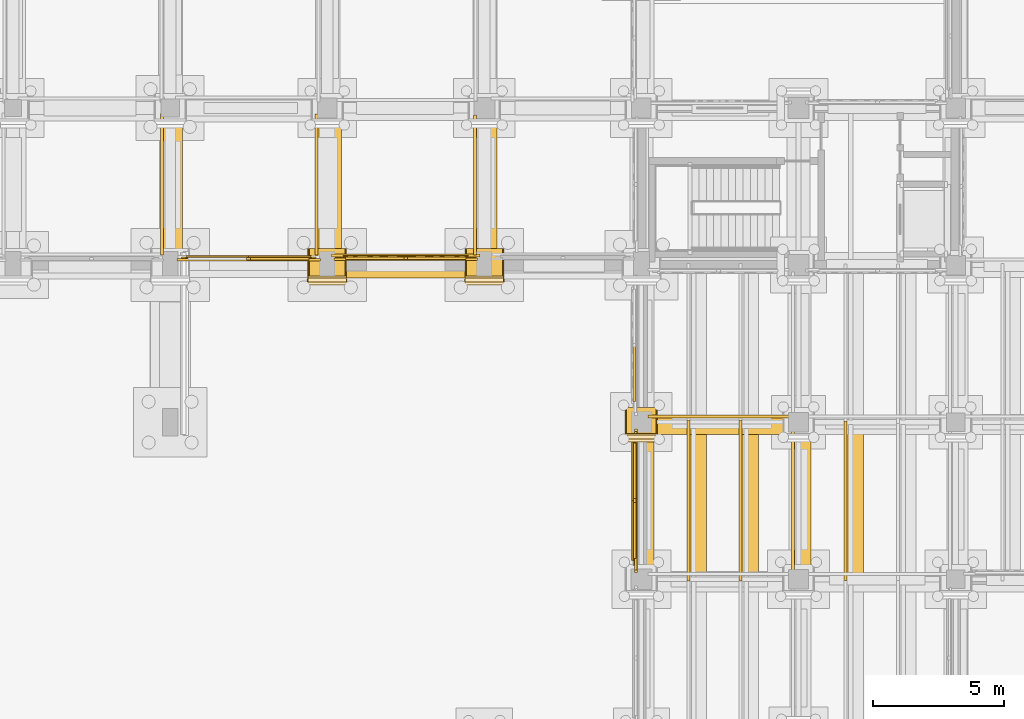
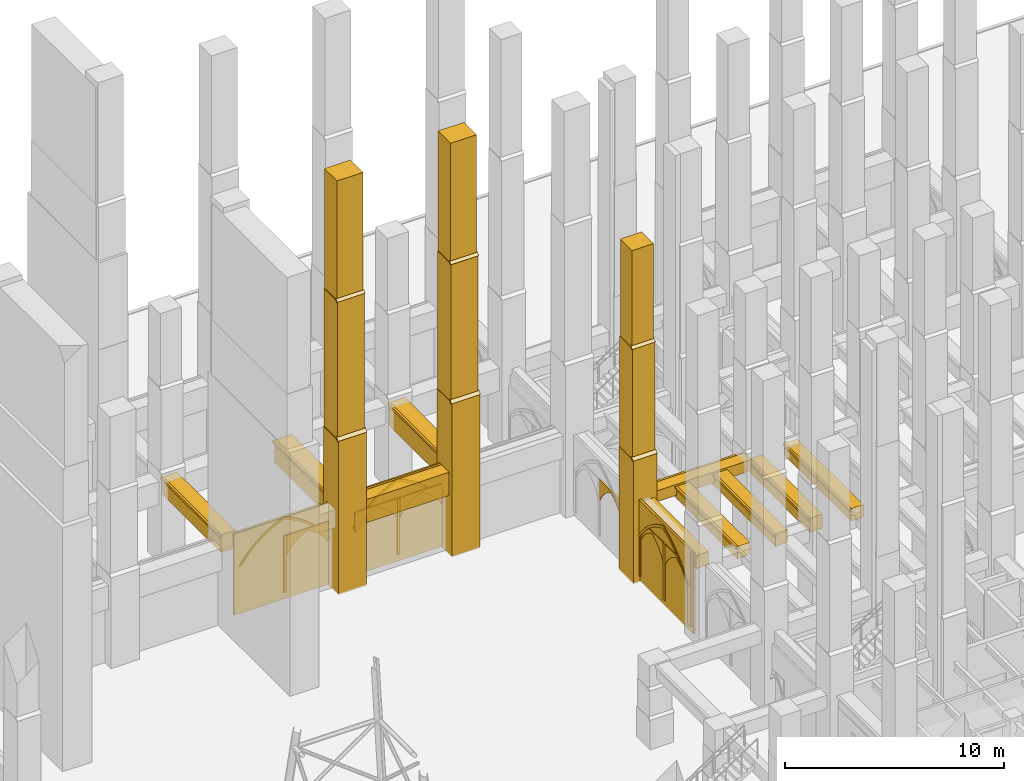
# One storey, part 116 of 135: 53 coverings.
"""IFC4 building model written with IfcOpenShell, lengths in metres."""

from ifc_helpers import new_model, si_unit, direction, frame, origin, origin_2d, place, context, subcontext, project, spatial, polyline, rectangle, outline, extrude, material, type_object, element, save


model = new_model("IFC4")

# Units and contexts
model_context = context("Model", 3, precision=1e-05, world=origin(), true_north=direction((0.0, 1.0)))
body_context = subcontext(model_context, "Body", "Model", "MODEL_VIEW")
ifc_project = project(units=[si_unit("LENGTHUNIT", "METRE"), si_unit("AREAUNIT", "SQUARE_METRE"), si_unit("VOLUMEUNIT", "CUBIC_METRE"), si_unit("PLANEANGLEUNIT", "RADIAN"), si_unit("MASSUNIT", "GRAM", prefix="KILO")], contexts=[model_context])

# Site, building, storey
site_placement = place(None, origin())
site = spatial("IfcSite", under=ifc_project, at=site_placement, CompositionType="ELEMENT")
building_placement = place(site_placement, origin())
building = spatial("IfcBuilding", under=site, at=building_placement, Name="Cumevento Cable Car Station", CompositionType="ELEMENT")
storey_placement = place(building_placement, origin())
storey = spatial("IfcBuildingStorey", under=building, at=storey_placement, Name="L01", CompositionType="ELEMENT", Elevation=0.0)

# Coverings
ifc_material = material(Name="Gnaisse Facoidal Stone Ashlar 85 MPa", Category="masonry")
covering_type = type_object("IfcCoveringType", Name="Gnaisse Ashlar Cladding CV-CL01", PredefinedType="CLADDING", material=ifc_material)
covering_1_placement = place(storey_placement, frame((106.0, 44.9423828125, -0.06005859375), z_axis=(0.0, 0.0, 1.0), x_axis=(1.0, 0.0, 0.0)))
element("IfcCovering", 1, at=covering_1_placement, inside=storey, type_object=covering_type, Name="Stepped Gothic Stone Buttress Tier 1 bt:106.0:45.0", PredefinedType="CLADDING", context=body_context, shape_type="SweptSolid", body=[
    extrude(rectangle(XDim=1.489990234375, YDim=1.364990234375, at=origin_2d()), origin(), (0.0, 0.0, 1.0), 8.595703125),
])
covering_2_placement = place(storey_placement, frame((105.235107421875, 44.239990234375, 8.515625), z_axis=(0.0, -0.711135781079, 0.703054692658), x_axis=(1.0, 0.0, 0.0)))
element("IfcCovering", 2, at=covering_2_placement, inside=storey, type_object=covering_type, Name="Gothic Buttress Sloped Stone Weathering 1 bt:106.0:45.0", PredefinedType="CLADDING", context=body_context, shape_type="SweptSolid", body=[
    extrude(outline(polyline([(0.0, 0.0), (1.52978515625, 0.0), (1.52978515625, 0.24169083397703695), (0.0, 0.24169083397703695), (0.0, 0.0)])), origin(), (0.0, 0.0, -1.0), 0.090087890625),
])
covering_3_placement = place(storey_placement, frame((106.0, 45.00244140625, 8.0830078125), z_axis=(0.0, 0.0, 1.0), x_axis=(1.0, 0.0, 0.0)))
element("IfcCovering", 3, at=covering_3_placement, inside=storey, type_object=covering_type, Name="Stepped Gothic Stone Buttress Tier 2 bt:106.0:45.0", PredefinedType="CLADDING", context=body_context, shape_type="SweptSolid", body=[
    extrude(rectangle(XDim=1.429931640625, YDim=1.2451171875, at=origin_2d()), origin(), (0.0, 0.0, 1.0), 8.143310546875),
])
covering_4_placement = place(storey_placement, frame((105.264892578125, 44.360107421875, 16.206298828125), z_axis=(0.0, -0.714474823669, 0.699661151089), x_axis=(1.0, 0.0, 0.0)))
element("IfcCovering", 4, at=covering_4_placement, inside=storey, type_object=covering_type, Name="Gothic Buttress Sloped Stone Weathering 2 bt:106.0:45.0", PredefinedType="CLADDING", context=body_context, shape_type="SweptSolid", body=[
    extrude(outline(polyline([(0.0, 0.0), (1.47021484375, 0.0), (1.47021484375, 0.21424991728737658), (0.0, 0.21424991728737658), (0.0, 0.0)])), origin(), (0.0, 0.0, -1.0), 0.090087890625),
])
covering_5_placement = place(storey_placement, frame((106.0, 45.052490234375, 15.77392578125), z_axis=(0.0, 0.0, 1.0), x_axis=(1.0, 0.0, 0.0)))
element("IfcCovering", 5, at=covering_5_placement, inside=storey, type_object=covering_type, Name="Stepped Gothic Stone Buttress Tier 3 bt:106.0:45.0", PredefinedType="CLADDING", context=body_context, shape_type="SweptSolid", body=[
    extrude(rectangle(XDim=1.3701171875, YDim=1.14501953125, at=origin_2d()), origin(), (0.0, 0.0, 1.0), 7.1259765625),
])
covering_6_placement = place(storey_placement, frame((112.0, 44.9423828125, -0.06005859375), z_axis=(0.0, 0.0, 1.0), x_axis=(1.0, 0.0, 0.0)))
element("IfcCovering", 6, at=covering_6_placement, inside=storey, type_object=covering_type, Name="Stepped Gothic Stone Buttress Tier 1 bt:112.0:45.0", PredefinedType="CLADDING", context=body_context, shape_type="SweptSolid", body=[
    extrude(rectangle(XDim=1.489990234375, YDim=1.364990234375, at=origin_2d()), origin(), (0.0, 0.0, 1.0), 8.595703125),
])
covering_7_placement = place(storey_placement, frame((111.235107421875, 44.239990234375, 8.515625), z_axis=(0.0, -0.711135781079, 0.703054692658), x_axis=(1.0, 0.0, 0.0)))
element("IfcCovering", 7, at=covering_7_placement, inside=storey, type_object=covering_type, Name="Gothic Buttress Sloped Stone Weathering 1 bt:112.0:45.0", PredefinedType="CLADDING", context=body_context, shape_type="SweptSolid", body=[
    extrude(outline(polyline([(0.0, 0.0), (1.52978515625, 0.0), (1.52978515625, 0.24169083397703695), (0.0, 0.24169083397703695), (0.0, 0.0)])), origin(), (0.0, 0.0, -1.0), 0.090087890625),
])
covering_8_placement = place(storey_placement, frame((112.0, 45.00244140625, 8.0830078125), z_axis=(0.0, 0.0, 1.0), x_axis=(1.0, 0.0, 0.0)))
element("IfcCovering", 8, at=covering_8_placement, inside=storey, type_object=covering_type, Name="Stepped Gothic Stone Buttress Tier 2 bt:112.0:45.0", PredefinedType="CLADDING", context=body_context, shape_type="SweptSolid", body=[
    extrude(rectangle(XDim=1.429931640625, YDim=1.2451171875, at=origin_2d()), origin(), (0.0, 0.0, 1.0), 8.143310546875),
])
covering_9_placement = place(storey_placement, frame((111.264892578125, 44.360107421875, 16.206298828125), z_axis=(0.0, -0.714474823669, 0.699661151089), x_axis=(1.0, 0.0, 0.0)))
element("IfcCovering", 9, at=covering_9_placement, inside=storey, type_object=covering_type, Name="Gothic Buttress Sloped Stone Weathering 2 bt:112.0:45.0", PredefinedType="CLADDING", context=body_context, shape_type="SweptSolid", body=[
    extrude(outline(polyline([(0.0, 0.0), (1.47021484375, 0.0), (1.47021484375, 0.21424991728737658), (0.0, 0.21424991728737658), (0.0, 0.0)])), origin(), (0.0, 0.0, -1.0), 0.090087890625),
])
covering_10_placement = place(storey_placement, frame((112.0, 45.052490234375, 15.77392578125), z_axis=(0.0, 0.0, 1.0), x_axis=(1.0, 0.0, 0.0)))
element("IfcCovering", 10, at=covering_10_placement, inside=storey, type_object=covering_type, Name="Stepped Gothic Stone Buttress Tier 3 bt:112.0:45.0", PredefinedType="CLADDING", context=body_context, shape_type="SweptSolid", body=[
    extrude(rectangle(XDim=1.3701171875, YDim=1.14501953125, at=origin_2d()), origin(), (0.0, 0.0, 1.0), 7.1259765625),
])
covering_11_placement = place(storey_placement, frame((118.0, 38.909912109375, -0.06005859375), z_axis=(0.0, 0.0, 1.0), x_axis=(1.0, 0.0, 0.0)))
element("IfcCovering", 11, at=covering_11_placement, inside=storey, type_object=covering_type, Name="Stepped Gothic Stone Buttress Tier 1 bt:118.0:39.0", PredefinedType="CLADDING", context=body_context, shape_type="SweptSolid", body=[
    extrude(rectangle(XDim=1.239990234375, YDim=1.300048828125, at=origin_2d()), origin(), (0.0, 0.0, 1.0), 6.885498046875),
])
covering_12_placement = place(storey_placement, frame((117.360107421875, 38.239990234375, 6.8056640625), z_axis=(0.0, -0.711135781079, 0.703054692658), x_axis=(1.0, 0.0, 0.0)))
element("IfcCovering", 12, at=covering_12_placement, inside=storey, type_object=covering_type, Name="Gothic Buttress Sloped Stone Weathering 1 bt:118.0:39.0", PredefinedType="CLADDING", context=body_context, shape_type="SweptSolid", body=[
    extrude(outline(polyline([(0.0, 0.0), (1.27978515625, 0.0), (1.27978515625, 0.24169083397703695), (0.0, 0.24169083397703695), (0.0, 0.0)])), origin(), (0.0, 0.0, -1.0), 0.090087890625),
])
covering_13_placement = place(storey_placement, frame((118.0, 38.969970703125, 6.46337890625), z_axis=(0.0, 0.0, 1.0), x_axis=(1.0, 0.0, 0.0)))
element("IfcCovering", 13, at=covering_13_placement, inside=storey, type_object=covering_type, Name="Stepped Gothic Stone Buttress Tier 2 bt:118.0:39.0", PredefinedType="CLADDING", context=body_context, shape_type="SweptSolid", body=[
    extrude(rectangle(XDim=1.179931640625, YDim=1.179931640625, at=origin_2d()), origin(), (0.0, 0.0, 1.0), 6.523193359375),
])
covering_14_placement = place(storey_placement, frame((117.389892578125, 38.360107421875, 12.96630859375), z_axis=(0.0, -0.714474823669, 0.699661151089), x_axis=(1.0, 0.0, 0.0)))
element("IfcCovering", 14, at=covering_14_placement, inside=storey, type_object=covering_type, Name="Gothic Buttress Sloped Stone Weathering 2 bt:118.0:39.0", PredefinedType="CLADDING", context=body_context, shape_type="SweptSolid", body=[
    extrude(outline(polyline([(0.0, 0.0), (1.22021484375, 0.0), (1.22021484375, 0.21424991728737655), (0.0, 0.21424991728737655), (0.0, 0.0)])), origin(), (0.0, 0.0, -1.0), 0.090087890625),
])
covering_15_placement = place(storey_placement, frame((118.0, 39.02001953125, 12.6240234375), z_axis=(0.0, 0.0, 1.0), x_axis=(1.0, 0.0, 0.0)))
element("IfcCovering", 15, at=covering_15_placement, inside=storey, type_object=covering_type, Name="Stepped Gothic Stone Buttress Tier 3 bt:118.0:39.0", PredefinedType="CLADDING", context=body_context, shape_type="SweptSolid", body=[
    extrude(rectangle(XDim=1.1201171875, YDim=1.080078125, at=origin_2d()), origin(), (0.0, 0.0, 1.0), 5.77587890625),
])
covering_16_placement = place(storey_placement, frame((109.0, 44.919921875, 3.239990234375), z_axis=(0.0, 0.0, 1.0), x_axis=(1.0, 0.0, 0.0)))
element("IfcCovering", 16, at=covering_16_placement, inside=storey, type_object=covering_type, Name="Gothic Stone Spandrel Stringcourse sc:0138", PredefinedType="CLADDING", context=body_context, shape_type="SweptSolid", body=[
    extrude(rectangle(XDim=5.639892578125, YDim=0.820068359375, at=origin_2d()), origin(), (0.0, 0.0, 1.0), 1.2900390625),
])
covering_17_placement = place(storey_placement, frame((109.0, 45.357421875, 4.400146484375), z_axis=(0.0, 0.0, 1.0), x_axis=(1.0, 0.0, 0.0)))
element("IfcCovering", 17, at=covering_17_placement, inside=storey, type_object=covering_type, Name="Gothic Cornice Dripstone Lip sc:0138", PredefinedType="CLADDING", context=body_context, shape_type="SweptSolid", body=[
    extrude(rectangle(XDim=5.679931640625, YDim=0.114990234375, at=origin_2d()), origin(), (0.0, 0.0, 1.0), 0.1298828125),
])
covering_18_placement = place(storey_placement, frame((100.10009765625, 48.08740234375, 3.5400390625), z_axis=(0.0, 0.0, 1.0), x_axis=(0.0, 1.0, 0.0)))
element("IfcCovering", 18, at=covering_18_placement, inside=storey, type_object=covering_type, Name="Gothic Stone Spandrel Stringcourse sc:0152", PredefinedType="CLADDING", context=body_context, shape_type="SweptSolid", body=[
    extrude(rectangle(XDim=5.364990234375, YDim=0.760009765625, at=origin_2d()), origin(), (0.0, 0.0, 1.0), 0.989990234375),
])
covering_19_placement = place(storey_placement, frame((99.6923828125, 48.08740234375, 4.400146484375), z_axis=(0.0, 0.0, 1.0), x_axis=(0.0, 1.0, 0.0)))
element("IfcCovering", 19, at=covering_19_placement, inside=storey, type_object=covering_type, Name="Gothic Cornice Dripstone Lip sc:0152", PredefinedType="CLADDING", context=body_context, shape_type="SweptSolid", body=[
    extrude(rectangle(XDim=5.405029296875, YDim=0.114990234375, at=origin_2d()), origin(), (0.0, 0.0, 1.0), 0.1298828125),
])
covering_20_placement = place(storey_placement, frame((106.080078125, 48.074951171875, 3.2900390625), z_axis=(0.0, 0.0, 1.0), x_axis=(0.0, 1.0, 0.0)))
element("IfcCovering", 20, at=covering_20_placement, inside=storey, type_object=covering_type, Name="Gothic Stone Spandrel Stringcourse sc:0154", PredefinedType="CLADDING", context=body_context, shape_type="SweptSolid", body=[
    extrude(rectangle(XDim=5.340087890625, YDim=0.919921875, at=origin_2d()), origin(), (0.0, 0.0, 1.0), 1.239990234375),
])
covering_21_placement = place(storey_placement, frame((105.592529296875, 48.074951171875, 4.400146484375), z_axis=(0.0, 0.0, 1.0), x_axis=(0.0, 1.0, 0.0)))
element("IfcCovering", 21, at=covering_21_placement, inside=storey, type_object=covering_type, Name="Gothic Cornice Dripstone Lip sc:0154", PredefinedType="CLADDING", context=body_context, shape_type="SweptSolid", body=[
    extrude(rectangle(XDim=5.3798828125, YDim=0.114990234375, at=origin_2d()), origin(), (0.0, 0.0, 1.0), 0.1298828125),
])
covering_22_placement = place(storey_placement, frame((112.080078125, 48.0625, 3.239990234375), z_axis=(0.0, 0.0, 1.0), x_axis=(0.0, 1.0, 0.0)))
element("IfcCovering", 22, at=covering_22_placement, inside=storey, type_object=covering_type, Name="Gothic Stone Spandrel Stringcourse sc:0156", PredefinedType="CLADDING", context=body_context, shape_type="SweptSolid", body=[
    extrude(rectangle(XDim=5.31494140625, YDim=0.820068359375, at=origin_2d()), origin(), (0.0, 0.0, 1.0), 1.2900390625),
])
covering_23_placement = place(storey_placement, frame((111.642578125, 48.0625, 4.400146484375), z_axis=(0.0, 0.0, 1.0), x_axis=(0.0, 1.0, 0.0)))
element("IfcCovering", 23, at=covering_23_placement, inside=storey, type_object=covering_type, Name="Gothic Cornice Dripstone Lip sc:0156", PredefinedType="CLADDING", context=body_context, shape_type="SweptSolid", body=[
    extrude(rectangle(XDim=5.35498046875, YDim=0.114990234375, at=origin_2d()), origin(), (0.0, 0.0, 1.0), 0.1298828125),
])
covering_24_placement = place(storey_placement, frame((121.012451171875, 38.85009765625, 3.884033203125), z_axis=(0.0, 0.0, 1.0), x_axis=(1.0, 0.0, 0.0)))
element("IfcCovering", 24, at=covering_24_placement, inside=storey, type_object=covering_type, Name="Gothic Stone Spandrel Stringcourse sc:0191", PredefinedType="CLADDING", context=body_context, shape_type="SweptSolid", body=[
    extrude(rectangle(XDim=5.465087890625, YDim=0.659912109375, at=origin_2d()), origin(), (0.0, 0.0, 1.0), 0.60595703125),
])
covering_25_placement = place(storey_placement, frame((121.012451171875, 39.20751953125, 4.360107421875), z_axis=(0.0, 0.0, 1.0), x_axis=(1.0, 0.0, 0.0)))
element("IfcCovering", 25, at=covering_25_placement, inside=storey, type_object=covering_type, Name="Gothic Cornice Dripstone Lip sc:0191", PredefinedType="CLADDING", context=body_context, shape_type="SweptSolid", body=[
    extrude(rectangle(XDim=5.5048828125, YDim=0.114990234375, at=origin_2d()), origin(), (0.0, 0.0, 1.0), 0.1298828125),
])
covering_26_placement = place(storey_placement, frame((118.14990234375, 36.0, 3.64306640625), z_axis=(0.0, 0.0, 1.0), x_axis=(0.0, 1.0, 0.0)))
element("IfcCovering", 26, at=covering_26_placement, inside=storey, type_object=covering_type, Name="Gothic Stone Spandrel Stringcourse sc:0197", PredefinedType="CLADDING", context=body_context, shape_type="SweptSolid", body=[
    extrude(rectangle(XDim=5.43994140625, YDim=0.659912109375, at=origin_2d()), origin(), (0.0, 0.0, 1.0), 0.7470703125),
])
covering_27_placement = place(storey_placement, frame((117.79248046875, 36.0, 4.260009765625), z_axis=(0.0, 0.0, 1.0), x_axis=(0.0, 1.0, 0.0)))
element("IfcCovering", 27, at=covering_27_placement, inside=storey, type_object=covering_type, Name="Gothic Cornice Dripstone Lip sc:0197", PredefinedType="CLADDING", context=body_context, shape_type="SweptSolid", body=[
    extrude(rectangle(XDim=5.47998046875, YDim=0.114990234375, at=origin_2d()), origin(), (0.0, 0.0, 1.0), 0.1298828125),
])
covering_28_placement = place(storey_placement, frame((124.14990234375, 36.0, 3.5927734375), z_axis=(0.0, 0.0, 1.0), x_axis=(0.0, 1.0, 0.0)))
element("IfcCovering", 28, at=covering_28_placement, inside=storey, type_object=covering_type, Name="Gothic Stone Spandrel Stringcourse sc:0199", PredefinedType="CLADDING", context=body_context, shape_type="SweptSolid", body=[
    extrude(rectangle(XDim=5.489990234375, YDim=0.659912109375, at=origin_2d()), origin(), (0.0, 0.0, 1.0), 0.797119140625),
])
covering_29_placement = place(storey_placement, frame((123.79248046875, 36.0, 4.260009765625), z_axis=(0.0, 0.0, 1.0), x_axis=(0.0, 1.0, 0.0)))
element("IfcCovering", 29, at=covering_29_placement, inside=storey, type_object=covering_type, Name="Gothic Cornice Dripstone Lip sc:0199", PredefinedType="CLADDING", context=body_context, shape_type="SweptSolid", body=[
    extrude(rectangle(XDim=5.530029296875, YDim=0.114990234375, at=origin_2d()), origin(), (0.0, 0.0, 1.0), 0.1298828125),
])
covering_30_placement = place(storey_placement, frame((120.14990234375, 36.008056640625, 3.69482421875), z_axis=(0.0, 0.0, 1.0), x_axis=(0.0, 1.0, 0.0)))
element("IfcCovering", 30, at=covering_30_placement, inside=storey, type_object=covering_type, Name="Gothic Stone Spandrel Stringcourse sc:0278", PredefinedType="CLADDING", context=body_context, shape_type="SweptSolid", body=[
    extrude(rectangle(XDim=6.10009765625, YDim=0.659912109375, at=origin_2d()), origin(), (0.0, 0.0, 1.0), 0.695068359375),
])
covering_31_placement = place(storey_placement, frame((119.79248046875, 36.008056640625, 4.260009765625), z_axis=(0.0, 0.0, 1.0), x_axis=(0.0, 1.0, 0.0)))
element("IfcCovering", 31, at=covering_31_placement, inside=storey, type_object=covering_type, Name="Gothic Cornice Dripstone Lip sc:0278", PredefinedType="CLADDING", context=body_context, shape_type="SweptSolid", body=[
    extrude(rectangle(XDim=6.139892578125, YDim=0.114990234375, at=origin_2d()), origin(), (0.0, 0.0, 1.0), 0.1298828125),
])
covering_32_placement = place(storey_placement, frame((122.14990234375, 36.008056640625, 3.69482421875), z_axis=(0.0, 0.0, 1.0), x_axis=(0.0, 1.0, 0.0)))
element("IfcCovering", 32, at=covering_32_placement, inside=storey, type_object=covering_type, Name="Gothic Stone Spandrel Stringcourse sc:0280", PredefinedType="CLADDING", context=body_context, shape_type="SweptSolid", body=[
    extrude(rectangle(XDim=6.10009765625, YDim=0.659912109375, at=origin_2d()), origin(), (0.0, 0.0, 1.0), 0.695068359375),
])
covering_33_placement = place(storey_placement, frame((121.79248046875, 36.008056640625, 4.260009765625), z_axis=(0.0, 0.0, 1.0), x_axis=(0.0, 1.0, 0.0)))
element("IfcCovering", 33, at=covering_33_placement, inside=storey, type_object=covering_type, Name="Gothic Cornice Dripstone Lip sc:0280", PredefinedType="CLADDING", context=body_context, shape_type="SweptSolid", body=[
    extrude(rectangle(XDim=6.139892578125, YDim=0.114990234375, at=origin_2d()), origin(), (0.0, 0.0, 1.0), 0.1298828125),
])
covering_34_placement = place(storey_placement, frame((126.14990234375, 35.997314453125, 3.69482421875), z_axis=(0.0, 0.0, 1.0), x_axis=(0.0, 1.0, 0.0)))
element("IfcCovering", 34, at=covering_34_placement, inside=storey, type_object=covering_type, Name="Gothic Stone Spandrel Stringcourse sc:0282", PredefinedType="CLADDING", context=body_context, shape_type="SweptSolid", body=[
    extrude(rectangle(XDim=6.06640625, YDim=0.659912109375, at=origin_2d()), origin(), (0.0, 0.0, 1.0), 0.695068359375),
])
covering_35_placement = place(storey_placement, frame((125.79248046875, 35.997314453125, 4.260009765625), z_axis=(0.0, 0.0, 1.0), x_axis=(0.0, 1.0, 0.0)))
element("IfcCovering", 35, at=covering_35_placement, inside=storey, type_object=covering_type, Name="Gothic Cornice Dripstone Lip sc:0282", PredefinedType="CLADDING", context=body_context, shape_type="SweptSolid", body=[
    extrude(rectangle(XDim=6.1064453125, YDim=0.114990234375, at=origin_2d()), origin(), (0.0, 0.0, 1.0), 0.1298828125),
])
covering_36_placement = place(storey_placement, frame((100.300048828125, 45.0, 0.0), z_axis=(0.0, 0.0, 1.0), x_axis=(1.0, 0.0, 0.0)))
element("IfcCovering", 36, at=covering_36_placement, inside=storey, type_object=covering_type, Name="Exterior Gnaisse Stone Wall Ashlar #39", PredefinedType="CLADDING", context=body_context, shape_type="SweptSolid", body=[
    extrude(outline(polyline([(-0.0400390625, -0.02001953125), (5.43994140625, -0.02001953125), (5.43994140625, 4.52001953125), (-0.0400390625, 4.52001953125), (-0.0400390625, -0.02001953125)])), frame((0.0, 0.25, 0.0), z_axis=(0.0, -1.0, 0.0), x_axis=(1.0, 0.0, 0.0)), (0.0, 0.0, 1.0), 0.0849609375),
])
placement_1 = place(storey_placement, frame((100.47998046875, 45.0, 0.300048828125), z_axis=(0.0, 0.0, 1.0), x_axis=(1.0, 0.0, 0.0)))
element("IfcCovering", 37, at=placement_1, inside=storey, type_object=covering_type, Name="Gothic Ogival Pointed-Arch Stone Spandrel blind_ogival:0039", PredefinedType="CLADDING", context=body_context, shape_type="SweptSolid", body=[
    extrude(outline(polyline([(-0.050048828125, 0.0), (-0.050048828125, 4.239990234375), (5.090087890625, 4.239990234375), (5.090087890625, 0.0), (4.780029296875, 0.0), (4.780029296875, 2.219970703125), (4.531982421875, 2.55810546875), (4.255126953125, 2.872802734375), (3.951416015625, 3.161865234375), (3.62353515625, 3.423095703125), (3.273681640625, 3.654296875), (2.905029296875, 3.853759765625), (2.52001953125, 4.02001953125), (2.135009765625, 3.853759765625), (1.766357421875, 3.654296875), (1.41650390625, 3.423095703125), (1.088623046875, 3.161865234375), (0.784912109375, 2.872802734375), (0.508056640625, 2.55810546875), (0.260009765625, 2.219970703125), (0.260009765625, 0.0), (-0.050048828125, 0.0)])), frame((0.0, 0.304931640625, 0.0), z_axis=(0.0, -1.0, 0.0), x_axis=(1.0, 0.0, 0.0)), (0.0, 0.0, 1.0), 0.110107421875),
])
covering_38_placement = place(storey_placement, frame((100.47998046875, 45.0, 2.52001953125), z_axis=(0.0, 0.0, 1.0), x_axis=(1.0, 0.0, 0.0)))
element("IfcCovering", 38, at=covering_38_placement, inside=storey, type_object=covering_type, Name="Gothic Pointed Archivolt Hood Moulding blind_ogival:0039", PredefinedType="CLADDING", context=body_context, shape_type="SweptSolid", body=[
    extrude(outline(polyline([(0.260009765625, 0.0), (0.508056640625, 0.338134765625), (0.784912109375, 0.65283203125), (1.088623046875, 0.94189453125), (1.41650390625, 1.203125), (1.766357421875, 1.434326171875), (2.135009765625, 1.6337890625), (2.52001953125, 1.800048828125), (2.905029296875, 1.6337890625), (3.273681640625, 1.434326171875), (3.62353515625, 1.203125), (3.951416015625, 0.94189453125), (4.255126953125, 0.65283203125), (4.531982421875, 0.338134765625), (4.780029296875, 0.0), (4.90087890625, 0.0), (4.6435546875, 0.365478515625), (4.354248046875, 0.706298828125), (4.03564453125, 1.01953125), (3.689697265625, 1.302978515625), (3.31982421875, 1.553955078125), (2.928955078125, 1.770751953125), (2.52001953125, 1.951171875), (2.111083984375, 1.770751953125), (1.72021484375, 1.553955078125), (1.350341796875, 1.302978515625), (1.00439453125, 1.01953125), (0.685791015625, 0.706298828125), (0.396484375, 0.365478515625), (0.138916015625, 0.0), (0.260009765625, 0.0)])), frame((0.0, 0.346923828125, 0.0), z_axis=(0.0, -1.0, 0.0), x_axis=(1.0, 0.0, 0.0)), (0.0, 0.0, 1.0), 0.06689453125),
])
element("IfcCovering", 39, at=placement_1, inside=storey, type_object=covering_type, Name="Gothic Bifora Stone Colonnette blind_ogival:0039 #1", PredefinedType="CLADDING", context=body_context, shape_type="SweptSolid", body=[
    extrude(outline(polyline([(2.445068359375, -0.02001953125), (2.594970703125, -0.02001953125), (2.594970703125, 3.156005859375), (2.445068359375, 3.156005859375), (2.445068359375, -0.02001953125)])), frame((0.0, 0.29296875, 0.0), z_axis=(0.0, -1.0, 0.0), x_axis=(1.0, 0.0, 0.0)), (0.0, 0.0, 1.0), 0.094970703125),
])
covering_40_placement = place(storey_placement, frame((103.044921875, 45.0, 2.340087890625), z_axis=(0.0, 0.0, 1.0), x_axis=(1.0, 0.0, 0.0)))
element("IfcCovering", 40, at=covering_40_placement, inside=storey, type_object=covering_type, Name="Gothic Ogival Pointed-Arch Stone Spandrel blind_ogival:0039:sub:1", PredefinedType="CLADDING", context=body_context, shape_type="SweptSolid", body=[
    extrude(outline(polyline([(-0.02001953125, 0.0), (-0.02001953125, 1.115966796875), (2.264892578125, 1.115966796875), (2.264892578125, 0.0), (2.205078125, 0.0), (2.076171875, 0.214111328125), (1.923828125, 0.412109375), (1.75, 0.591552734375), (1.556640625, 0.75), (1.3466796875, 0.88525390625), (1.12255859375, 0.99609375), (0.8984375, 0.88525390625), (0.6884765625, 0.75), (0.4951171875, 0.591552734375), (0.3212890625, 0.412109375), (0.1689453125, 0.214111328125), (0.0400390625, 0.0), (-0.02001953125, 0.0)])), frame((0.0, 0.2890625, 0.0), z_axis=(0.0, -1.0, 0.0), x_axis=(1.0, 0.0, 0.0)), (0.0, 0.0, 1.0), 0.090087890625),
])
covering_41_placement = place(storey_placement, frame((106.300048828125, 45.0, 0.0), z_axis=(0.0, 0.0, 1.0), x_axis=(1.0, 0.0, 0.0)))
element("IfcCovering", 41, at=covering_41_placement, inside=storey, type_object=covering_type, Name="Exterior Gnaisse Stone Wall Ashlar #40", PredefinedType="CLADDING", context=body_context, shape_type="SweptSolid", body=[
    extrude(outline(polyline([(-0.0400390625, -0.02001953125), (5.43994140625, -0.02001953125), (5.43994140625, 4.52001953125), (-0.0400390625, 4.52001953125), (-0.0400390625, -0.02001953125)])), frame((0.0, 0.262451171875, 0.0), z_axis=(0.0, -1.0, 0.0), x_axis=(1.0, 0.0, 0.0)), (0.0, 0.0, 1.0), 0.0849609375),
])
placement_2 = place(storey_placement, frame((106.47998046875, 45.0, 0.300048828125), z_axis=(0.0, 0.0, 1.0), x_axis=(1.0, 0.0, 0.0)))
element("IfcCovering", 42, at=placement_2, inside=storey, type_object=covering_type, Name="Gothic Ogival Pointed-Arch Stone Spandrel blind_ogival:0040", PredefinedType="CLADDING", context=body_context, shape_type="SweptSolid", body=[
    extrude(outline(polyline([(-0.050048828125, 0.0), (-0.050048828125, 4.239990234375), (5.090087890625, 4.239990234375), (5.090087890625, 0.0), (4.780029296875, 0.0), (4.780029296875, 2.219970703125), (4.531982421875, 2.55810546875), (4.255126953125, 2.872802734375), (3.951416015625, 3.161865234375), (3.62353515625, 3.423095703125), (3.273681640625, 3.654296875), (2.905029296875, 3.853759765625), (2.52001953125, 4.02001953125), (2.135009765625, 3.853759765625), (1.766357421875, 3.654296875), (1.41650390625, 3.423095703125), (1.088623046875, 3.161865234375), (0.784912109375, 2.872802734375), (0.508056640625, 2.55810546875), (0.260009765625, 2.219970703125), (0.260009765625, 0.0), (-0.050048828125, 0.0)])), frame((0.0, 0.3173828125, 0.0), z_axis=(0.0, -1.0, 0.0), x_axis=(1.0, 0.0, 0.0)), (0.0, 0.0, 1.0), 0.110107421875),
])
covering_43_placement = place(storey_placement, frame((106.47998046875, 45.0, 2.52001953125), z_axis=(0.0, 0.0, 1.0), x_axis=(1.0, 0.0, 0.0)))
element("IfcCovering", 43, at=covering_43_placement, inside=storey, type_object=covering_type, Name="Gothic Pointed Archivolt Hood Moulding blind_ogival:0040", PredefinedType="CLADDING", context=body_context, shape_type="SweptSolid", body=[
    extrude(outline(polyline([(0.260009765625, 0.0), (0.508056640625, 0.338134765625), (0.784912109375, 0.65283203125), (1.088623046875, 0.94189453125), (1.41650390625, 1.203125), (1.766357421875, 1.434326171875), (2.135009765625, 1.6337890625), (2.52001953125, 1.800048828125), (2.905029296875, 1.6337890625), (3.273681640625, 1.434326171875), (3.62353515625, 1.203125), (3.951416015625, 0.94189453125), (4.255126953125, 0.65283203125), (4.531982421875, 0.338134765625), (4.780029296875, 0.0), (4.90087890625, 0.0), (4.6435546875, 0.365478515625), (4.354248046875, 0.706298828125), (4.03564453125, 1.01953125), (3.689697265625, 1.302978515625), (3.31982421875, 1.553955078125), (2.928955078125, 1.770751953125), (2.52001953125, 1.951171875), (2.111083984375, 1.770751953125), (1.72021484375, 1.553955078125), (1.350341796875, 1.302978515625), (1.00439453125, 1.01953125), (0.685791015625, 0.706298828125), (0.396484375, 0.365478515625), (0.138916015625, 0.0), (0.260009765625, 0.0)])), frame((0.0, 0.359619140625, 0.0), z_axis=(0.0, -1.0, 0.0), x_axis=(1.0, 0.0, 0.0)), (0.0, 0.0, 1.0), 0.06689453125),
])
element("IfcCovering", 44, at=placement_2, inside=storey, type_object=covering_type, Name="Gothic Bifora Stone Colonnette blind_ogival:0040 #1", PredefinedType="CLADDING", context=body_context, shape_type="SweptSolid", body=[
    extrude(outline(polyline([(2.445068359375, -0.02001953125), (2.594970703125, -0.02001953125), (2.594970703125, 3.156005859375), (2.445068359375, 3.156005859375), (2.445068359375, -0.02001953125)])), frame((0.0, 0.305419921875, 0.0), z_axis=(0.0, -1.0, 0.0), x_axis=(1.0, 0.0, 0.0)), (0.0, 0.0, 1.0), 0.094970703125),
])
for number, where, z_axis, x_axis, name in (
    (45, (106.7099609375, 45.0, 2.340087890625), (0.0, 0.0, 1.0), (1.0, 0.0, 0.0), "Gothic Ogival Pointed-Arch Stone Spandrel blind_ogival:0040:sub:0"),
    (46, (109.044921875, 45.0, 2.340087890625), (0.0, 0.0, 1.0), (1.0, 0.0, 0.0), "Gothic Ogival Pointed-Arch Stone Spandrel blind_ogival:0040:sub:1"),
):
    element("IfcCovering", number, at=place(storey_placement, frame(where, z_axis=z_axis, x_axis=x_axis)), inside=storey, type_object=covering_type, Name=name, PredefinedType="CLADDING", context=body_context, shape_type="SweptSolid", body=[
        extrude(outline(polyline([(-0.02001953125, 0.0), (-0.02001953125, 1.115966796875), (2.264892578125, 1.115966796875), (2.264892578125, 0.0), (2.205078125, 0.0), (2.076171875, 0.214111328125), (1.923828125, 0.412109375), (1.75, 0.591552734375), (1.556640625, 0.75), (1.3466796875, 0.88525390625), (1.12255859375, 0.99609375), (0.8984375, 0.88525390625), (0.6884765625, 0.75), (0.4951171875, 0.591552734375), (0.3212890625, 0.412109375), (0.1689453125, 0.214111328125), (0.0400390625, 0.0), (-0.02001953125, 0.0)])), frame((0.0, 0.301513671875, 0.0), z_axis=(0.0, -1.0, 0.0), x_axis=(1.0, 0.0, 0.0)), (0.0, 0.0, 1.0), 0.090087890625),
    ])
covering_45_placement = place(storey_placement, frame((118.0, 33.39990234375, 0.0), z_axis=(0.0, 0.0, 1.0), x_axis=(0.0, 1.0, 0.0)))
element("IfcCovering", 47, at=covering_45_placement, inside=storey, type_object=covering_type, Name="Exterior Gnaisse Stone Wall Ashlar #76", PredefinedType="CLADDING", context=body_context, shape_type="SweptSolid", body=[
    extrude(outline(polyline([(-0.0400390625, -0.02001953125), (5.239990234375, -0.02001953125), (5.239990234375, 4.52001953125), (-0.0400390625, 4.52001953125), (-0.0400390625, -0.02001953125)])), frame((0.0, 0.262451171875, 0.0), z_axis=(0.0, -1.0, 0.0), x_axis=(1.0, 0.0, 0.0)), (0.0, 0.0, 1.0), 0.0849609375),
])
placement_3 = place(storey_placement, frame((118.0, 33.580078125, 0.300048828125), z_axis=(0.0, 0.0, 1.0), x_axis=(0.0, 1.0, 0.0)))
element("IfcCovering", 48, at=placement_3, inside=storey, type_object=covering_type, Name="Gothic Ogival Pointed-Arch Stone Spandrel blind_ogival:0076", PredefinedType="CLADDING", context=body_context, shape_type="SweptSolid", body=[
    extrude(outline(polyline([(-0.050048828125, 0.0), (-0.050048828125, 4.239990234375), (4.889892578125, 4.239990234375), (4.889892578125, 0.0), (4.580078125, 0.0), (4.580078125, 2.219970703125), (4.3486328125, 2.556640625), (4.087646484375, 2.87060546875), (3.799072265625, 3.15966796875), (3.4853515625, 3.421142578125), (3.14892578125, 3.653076171875), (2.79296875, 3.85302734375), (2.419921875, 4.02001953125), (2.047119140625, 3.85302734375), (1.691162109375, 3.653076171875), (1.354736328125, 3.421142578125), (1.041015625, 3.15966796875), (0.75244140625, 2.87060546875), (0.491455078125, 2.556640625), (0.260009765625, 2.219970703125), (0.260009765625, 0.0), (-0.050048828125, 0.0)])), frame((0.0, 0.3173828125, 0.0), z_axis=(0.0, -1.0, 0.0), x_axis=(1.0, 0.0, 0.0)), (0.0, 0.0, 1.0), 0.110107421875),
])
covering_47_placement = place(storey_placement, frame((118.0, 33.580078125, 2.52001953125), z_axis=(0.0, 0.0, 1.0), x_axis=(0.0, 1.0, 0.0)))
element("IfcCovering", 49, at=covering_47_placement, inside=storey, type_object=covering_type, Name="Gothic Pointed Archivolt Hood Moulding blind_ogival:0076", PredefinedType="CLADDING", context=body_context, shape_type="SweptSolid", body=[
    extrude(outline(polyline([(0.260009765625, 0.0), (0.491455078125, 0.336669921875), (0.75244140625, 0.650634765625), (1.041015625, 0.939697265625), (1.354736328125, 1.201171875), (1.691162109375, 1.43310546875), (2.047119140625, 1.633056640625), (2.419921875, 1.800048828125), (2.79296875, 1.633056640625), (3.14892578125, 1.43310546875), (3.4853515625, 1.201171875), (3.799072265625, 0.939697265625), (4.087646484375, 0.650634765625), (4.3486328125, 0.336669921875), (4.580078125, 0.0), (4.700927734375, 0.0), (4.46044921875, 0.364013671875), (4.18701171875, 0.7041015625), (3.88330078125, 1.017333984375), (3.5517578125, 1.30078125), (3.1953125, 1.552490234375), (2.81689453125, 1.77001953125), (2.419921875, 1.951171875), (2.023193359375, 1.77001953125), (1.644775390625, 1.552490234375), (1.288330078125, 1.30078125), (0.956787109375, 1.017333984375), (0.653076171875, 0.7041015625), (0.379638671875, 0.364013671875), (0.138916015625, 0.0), (0.260009765625, 0.0)])), frame((0.0, 0.359619140625, 0.0), z_axis=(0.0, -1.0, 0.0), x_axis=(1.0, 0.0, 0.0)), (0.0, 0.0, 1.0), 0.06689453125),
])
element("IfcCovering", 50, at=placement_3, inside=storey, type_object=covering_type, Name="Gothic Bifora Stone Colonnette blind_ogival:0076 #1", PredefinedType="CLADDING", context=body_context, shape_type="SweptSolid", body=[
    extrude(outline(polyline([(2.344970703125, -0.02001953125), (2.4951171875, -0.02001953125), (2.4951171875, 3.156005859375), (2.344970703125, 3.156005859375), (2.344970703125, -0.02001953125)])), frame((0.0, 0.305419921875, 0.0), z_axis=(0.0, -1.0, 0.0), x_axis=(1.0, 0.0, 0.0)), (0.0, 0.0, 1.0), 0.094970703125),
])
for number, where, z_axis, x_axis, name in (
    (51, (118.0, 33.81005859375, 2.340087890625), (0.0, 0.0, 1.0), (0.0, 1.0, 0.0), "Gothic Ogival Pointed-Arch Stone Spandrel blind_ogival:0076:sub:0"),
    (52, (118.0, 36.044921875, 2.340087890625), (0.0, 0.0, 1.0), (0.0, 1.0, 0.0), "Gothic Ogival Pointed-Arch Stone Spandrel blind_ogival:0076:sub:1"),
):
    element("IfcCovering", number, at=place(storey_placement, frame(where, z_axis=z_axis, x_axis=x_axis)), inside=storey, type_object=covering_type, Name=name, PredefinedType="CLADDING", context=body_context, shape_type="SweptSolid", body=[
        extrude(outline(polyline([(-0.02001953125, 0.0), (-0.02001953125, 1.115966796875), (2.1650390625, 1.115966796875), (2.1650390625, 0.0), (2.10498046875, 0.0), (1.986083984375, 0.213134765625), (1.843017578125, 0.41064453125), (1.677490234375, 0.590087890625), (1.492431640625, 0.748779296875), (1.289794921875, 0.884765625), (1.072509765625, 0.99609375), (0.855224609375, 0.884765625), (0.652587890625, 0.748779296875), (0.467529296875, 0.590087890625), (0.302001953125, 0.41064453125), (0.158935546875, 0.213134765625), (0.0400390625, 0.0), (-0.02001953125, 0.0)])), frame((0.0, 0.301513671875, 0.0), z_axis=(0.0, -1.0, 0.0), x_axis=(1.0, 0.0, 0.0)), (0.0, 0.0, 1.0), 0.090087890625),
    ])
covering_49_placement = place(storey_placement, frame((118.0, 39.81005859375, 2.340087890625), z_axis=(0.0, 0.0, 1.0), x_axis=(0.0, 1.0, 0.0)))
element("IfcCovering", 53, at=covering_49_placement, inside=storey, type_object=covering_type, Name="Gothic Ogival Pointed-Arch Stone Spandrel blind_ogival:0077:sub:0", PredefinedType="CLADDING", context=body_context, shape_type="SweptSolid", body=[
    extrude(outline(polyline([(-0.02001953125, 0.0), (-0.02001953125, 1.115966796875), (2.1025390625, 1.115966796875), (2.1025390625, 0.0), (2.04248046875, 0.0), (1.929931640625, 0.21240234375), (1.79248046875, 0.40966796875), (1.632568359375, 0.589111328125), (1.4521484375, 0.748046875), (1.254150390625, 0.884521484375), (1.041259765625, 0.99609375), (0.828369140625, 0.884521484375), (0.63037109375, 0.748046875), (0.449951171875, 0.589111328125), (0.2900390625, 0.40966796875), (0.152587890625, 0.21240234375), (0.0400390625, 0.0), (-0.02001953125, 0.0)])), frame((0.0, 0.31396484375, 0.0), z_axis=(0.0, -1.0, 0.0), x_axis=(1.0, 0.0, 0.0)), (0.0, 0.0, 1.0), 0.090087890625),
])

save(model, "model.ifc")
